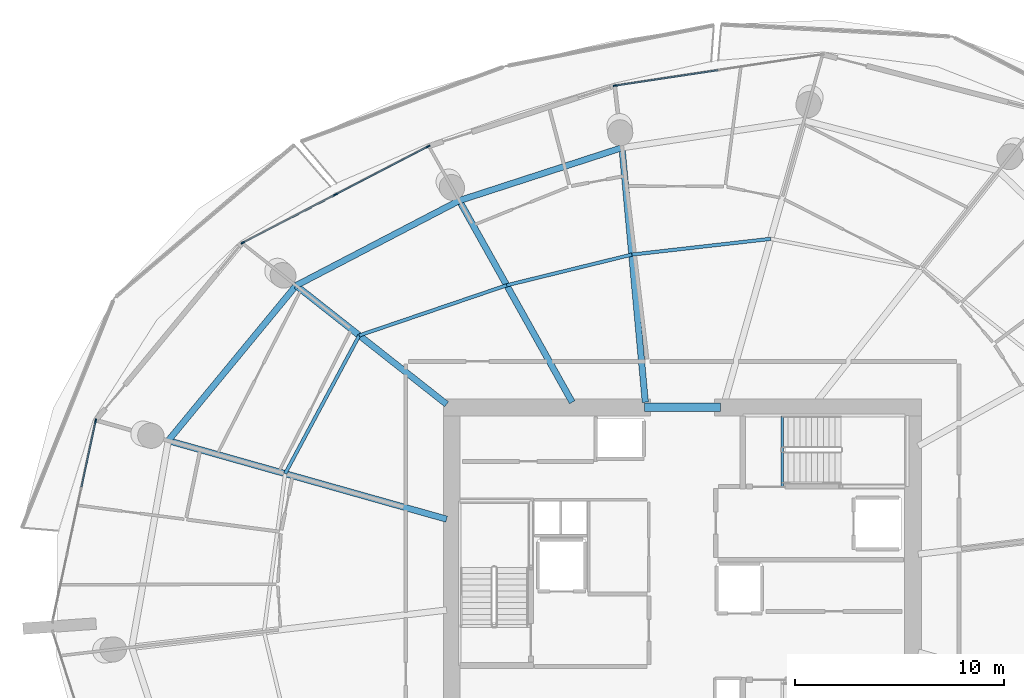
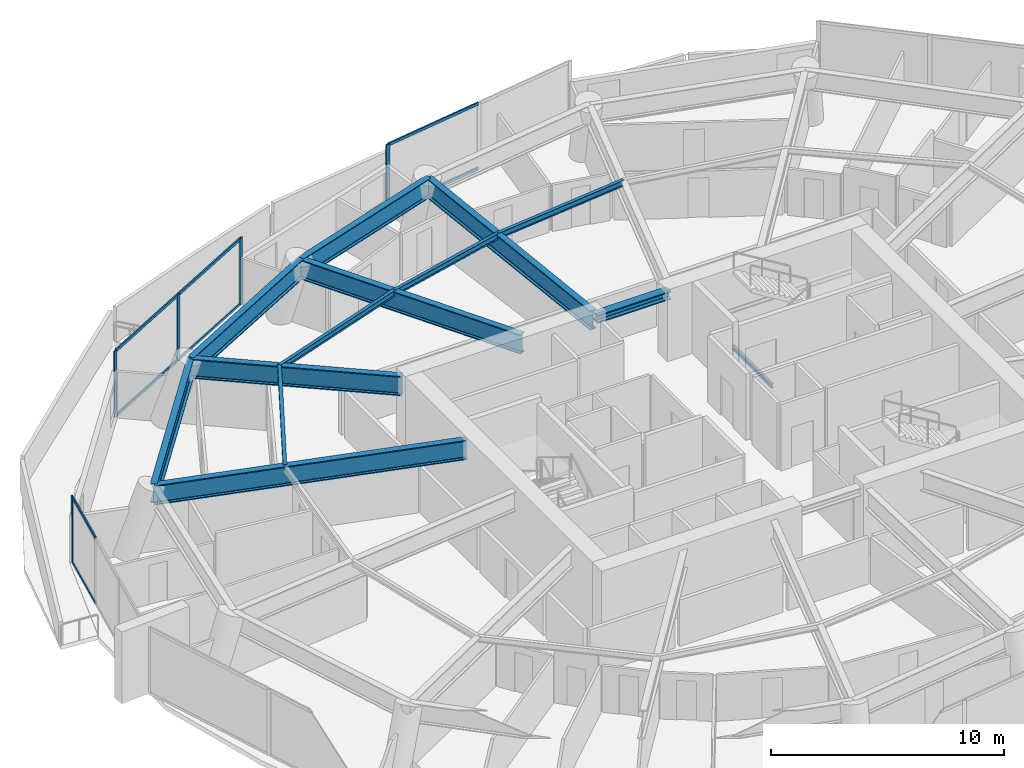
# One storey, part 8 of 23: 13 beams, 13 members, 3 elements without a shape of their own.
"""IFC4 building model written with IfcOpenShell, lengths in metres."""

from ifc_helpers import new_model, si_unit, direction, frame, origin, origin_2d, place, context, subcontext, project, spatial, rectangle, i_section, extrude, material, layer, layer_set, material_profile, profile_set, type_object, element, aggregate, save


model = new_model("IFC4")

# Units and contexts
model_context = context("Model", 3, precision=1e-05, world=origin(), true_north=direction((0.0, 1.0)))
body_context = subcontext(model_context, "Body", "Model", "MODEL_VIEW")
ifc_project = project(units=[si_unit("LENGTHUNIT", "METRE"), si_unit("AREAUNIT", "SQUARE_METRE"), si_unit("VOLUMEUNIT", "CUBIC_METRE"), si_unit("PLANEANGLEUNIT", "RADIAN"), si_unit("MASSUNIT", "GRAM", prefix="KILO")], contexts=[model_context])

# Site, building, storey
site_placement = place(None, origin())
site = spatial("IfcSite", under=ifc_project, at=site_placement, CompositionType="ELEMENT")
building_placement = place(site_placement, origin())
building = spatial("IfcBuilding", under=site, at=building_placement, Name="Kazma Halo Residences", CompositionType="ELEMENT")
storey_placement = place(building_placement, frame((0.0, 0.0, 112.64990234375)))
storey = spatial("IfcBuildingStorey", under=building, at=storey_placement, Name="L28", CompositionType="ELEMENT", Elevation=112.64990234375)

# Beams
ifc_material_1 = material(Name="Steel S355", Category="steel")
ifc_material_profile_1 = material_profile(ifc_material_1, i_section(OverallWidth=0.408935546875, OverallDepth=0.425048828125, WebThickness=0.03271484375, FlangeThickness=0.052490234375, FilletRadius=0.02001953125, at=origin_2d()), Name="W360x421")
ifc_profile_set_1 = profile_set([ifc_material_profile_1], Name="Steel S355")
beam_type_1 = type_object("IfcBeamType", Name="BM-CORE-W360H", PredefinedType="BEAM", material=ifc_profile_set_1)
beam_1_placement = place(storey_placement, frame((46.60009765625, 50.39990234375, 3.257568359375), z_axis=(1.0, 0.0, 0.0), x_axis=(0.0, 1.0, 0.0)))
element("IfcBeam", 1, at=beam_1_placement, inside=storey, type_object=beam_type_1, Name="L28 core coupling beam N", PredefinedType="BEAM", context=body_context, shape_type="SweptSolid", body=[
    extrude(i_section(OverallWidth=0.408935546875, OverallDepth=0.425048828125, WebThickness=0.03271484375, FlangeThickness=0.052490234375, FilletRadius=0.02001953125, at=origin_2d()), origin(), (0.0, 0.0, 1.0), 3.64990234375),
])
ifc_material_profile_2 = material_profile(ifc_material_1, i_section(OverallWidth=0.1650390625, OverallDepth=0.31005859375, WebThickness=0.005859375, FlangeThickness=0.009765625, FilletRadius=0.011962890625, at=origin_2d()), Name="W310x38.7")
ifc_profile_set_2 = profile_set([ifc_material_profile_2], Name="Steel S355")
beam_type_2 = type_object("IfcBeamType", Name="BM-SEC-W310B", PredefinedType="JOIST", material=ifc_profile_set_2)
beam_2_placement = place(storey_placement, frame((52.642333984375, 58.460205078125, 3.315185546875), z_axis=(-0.993617082201, -0.11280555819, 0.0), x_axis=(0.11280555819, -0.993617082201, 0.0)))
element("IfcBeam", 2, at=beam_2_placement, inside=storey, type_object=beam_type_2, Name="L28 circumferential floor joist 03", PredefinedType="JOIST", context=body_context, shape_type="SweptSolid", body=[
    extrude(i_section(OverallWidth=0.1650390625, OverallDepth=0.31005859375, WebThickness=0.005859375, FlangeThickness=0.009765625, FilletRadius=0.011962890625, at=origin_2d()), origin(), (0.0, 0.0, 1.0), 6.68115234375),
])
beam_3_placement = place(storey_placement, frame((46.00390625, 57.70654296875, 3.315185546875), z_axis=(-0.971238191184, -0.238110008161, 0.0), x_axis=(0.238110008161, -0.971238191184, 0.0)))
element("IfcBeam", 3, at=beam_3_placement, inside=storey, type_object=beam_type_2, Name="L28 circumferential floor joist 04", PredefinedType="JOIST", context=body_context, shape_type="SweptSolid", body=[
    extrude(i_section(OverallWidth=0.1650390625, OverallDepth=0.31005859375, WebThickness=0.005859375, FlangeThickness=0.009765625, FilletRadius=0.011962890625, at=origin_2d()), origin(), (0.0, 0.0, 1.0), 6.156005859375),
])
beam_4_placement = place(storey_placement, frame((40.02490234375, 56.24072265625, 3.315185546875), z_axis=(-0.946740758216, -0.321996796153, 0.0), x_axis=(0.321996796153, -0.946740758216, 0.0)))
element("IfcBeam", 4, at=beam_4_placement, inside=storey, type_object=beam_type_2, Name="L28 circumferential floor joist 05", PredefinedType="JOIST", context=body_context, shape_type="SweptSolid", body=[
    extrude(i_section(OverallWidth=0.1650390625, OverallDepth=0.31005859375, WebThickness=0.005859375, FlangeThickness=0.009765625, FilletRadius=0.011962890625, at=origin_2d()), origin(), (0.0, 0.0, 1.0), 7.44482421875),
])
beam_5_placement = place(storey_placement, frame((32.9765625, 53.843505859375, 3.315185546875), z_axis=(-0.472650580169, -0.881249924293, 0.0), x_axis=(0.881249924293, -0.472650580169, 0.0)))
element("IfcBeam", 5, at=beam_5_placement, inside=storey, type_object=beam_type_2, Name="L28 circumferential floor joist 06", PredefinedType="JOIST", context=body_context, shape_type="SweptSolid", body=[
    extrude(i_section(OverallWidth=0.1650390625, OverallDepth=0.31005859375, WebThickness=0.005859375, FlangeThickness=0.009765625, FilletRadius=0.011962890625, at=origin_2d()), origin(), (0.0, 0.0, 1.0), 7.49755859375),
])
ifc_material_profile_3 = material_profile(ifc_material_1, i_section(OverallWidth=0.302001953125, OverallDepth=1.01806640625, WebThickness=0.021484375, FlangeThickness=0.049072265625, FilletRadius=0.028076171875, at=origin_2d()), Name="W1000x443")
ifc_profile_set_3 = profile_set([ifc_material_profile_3], Name="Steel S355")
beam_type_3 = type_object("IfcBeamType", Name="BM-TRANS-W1000A", PredefinedType="BEAM", material=ifc_profile_set_3)
beam_6_placement = place(storey_placement, frame((46.64990234375, 50.64990234375, 2.961181640625), z_axis=(-0.091160923589, 0.995836174283, 0.0), x_axis=(-0.995836174283, -0.091160923589, 0.0)))
element("IfcBeam", 6, at=beam_6_placement, inside=storey, type_object=beam_type_3, Name="L28 podium radial transfer girder 04", PredefinedType="BEAM", context=body_context, shape_type="SweptSolid", body=[
    extrude(i_section(OverallWidth=0.302001953125, OverallDepth=1.01806640625, WebThickness=0.021484375, FlangeThickness=0.049072265625, FilletRadius=0.028076171875, at=origin_2d()), origin(), (0.0, 0.0, 1.0), 12.217529296875),
])
beam_7_placement = place(storey_placement, frame((43.15576171875, 50.64990234375, 2.961181640625), z_axis=(-0.488621537567, 0.872495841266, 0.0), x_axis=(-0.872495841266, -0.488621537567, 0.0)))
element("IfcBeam", 7, at=beam_7_placement, inside=storey, type_object=beam_type_3, Name="L28 podium radial transfer girder 05", PredefinedType="BEAM", context=body_context, shape_type="SweptSolid", body=[
    extrude(i_section(OverallWidth=0.302001953125, OverallDepth=1.01806640625, WebThickness=0.021484375, FlangeThickness=0.049072265625, FilletRadius=0.028076171875, at=origin_2d()), origin(), (0.0, 0.0, 1.0), 11.0478515625),
])
beam_8_placement = place(storey_placement, frame((37.14990234375, 50.553466796875, 2.961181640625), z_axis=(-0.785315005772, 0.61909639129, 0.0), x_axis=(-0.61909639129, -0.785315005772, 0.0)))
element("IfcBeam", 8, at=beam_8_placement, inside=storey, type_object=beam_type_3, Name="L28 podium radial transfer girder 06", PredefinedType="BEAM", context=body_context, shape_type="SweptSolid", body=[
    extrude(i_section(OverallWidth=0.302001953125, OverallDepth=1.01806640625, WebThickness=0.021484375, FlangeThickness=0.049072265625, FilletRadius=0.028076171875, at=origin_2d()), origin(), (0.0, 0.0, 1.0), 9.162353515625),
])
beam_9_placement = place(storey_placement, frame((37.14990234375, 45.06005859375, 2.961181640625), z_axis=(-0.962456655809, 0.27143541716, 0.0), x_axis=(-0.27143541716, -0.962456655809, 0.0)))
element("IfcBeam", 9, at=beam_9_placement, inside=storey, type_object=beam_type_3, Name="L28 podium radial transfer girder 07", PredefinedType="BEAM", context=body_context, shape_type="SweptSolid", body=[
    extrude(i_section(OverallWidth=0.302001953125, OverallDepth=1.01806640625, WebThickness=0.021484375, FlangeThickness=0.049072265625, FilletRadius=0.028076171875, at=origin_2d()), origin(), (0.0, 0.0, 1.0), 13.824462890625),
])
ifc_material_profile_4 = material_profile(ifc_material_1, i_section(OverallWidth=0.300048828125, OverallDepth=1.0, WebThickness=0.01904296875, FlangeThickness=0.0400390625, FilletRadius=0.02587890625, at=origin_2d()), Name="W1000x371")
ifc_profile_set_4 = profile_set([ifc_material_profile_4], Name="Steel S355")
beam_type_4 = type_object("IfcBeamType", Name="BM-TRANS-W1000B", PredefinedType="BEAM", material=ifc_profile_set_4)
beam_10_placement = place(storey_placement, frame((45.5361328125, 62.816650390625, 2.97021484375), z_axis=(-0.951050080811, -0.309036800058, 0.0), x_axis=(0.309036800058, -0.951050080811, 0.0)))
element("IfcBeam", 10, at=beam_10_placement, inside=storey, type_object=beam_type_4, Name="L28 perimeter ring beam 04", PredefinedType="BEAM", context=body_context, shape_type="SweptSolid", body=[
    extrude(i_section(OverallWidth=0.300048828125, OverallDepth=1.0, WebThickness=0.01904296875, FlangeThickness=0.0400390625, FilletRadius=0.02587890625, at=origin_2d()), origin(), (0.0, 0.0, 1.0), 8.178955078125),
])
beam_11_placement = place(storey_placement, frame((37.757568359375, 60.2890625, 2.97021484375), z_axis=(-0.886952216375, -0.46186119762, 0.0), x_axis=(0.46186119762, -0.886952216375, 0.0)))
element("IfcBeam", 11, at=beam_11_placement, inside=storey, type_object=beam_type_4, Name="L28 perimeter ring beam 05", PredefinedType="BEAM", context=body_context, shape_type="SweptSolid", body=[
    extrude(i_section(OverallWidth=0.300048828125, OverallDepth=1.0, WebThickness=0.01904296875, FlangeThickness=0.0400390625, FilletRadius=0.02587890625, at=origin_2d()), origin(), (0.0, 0.0, 1.0), 8.797607421875),
])
beam_12_placement = place(storey_placement, frame((29.95458984375, 56.225830078125, 2.97021484375), z_axis=(-0.636018081662, -0.771674153901, 0.0), x_axis=(0.771674153901, -0.636018081662, 0.0)))
element("IfcBeam", 12, at=beam_12_placement, inside=storey, type_object=beam_type_4, Name="L28 perimeter ring beam 06", PredefinedType="BEAM", context=body_context, shape_type="SweptSolid", body=[
    extrude(i_section(OverallWidth=0.300048828125, OverallDepth=1.0, WebThickness=0.01904296875, FlangeThickness=0.0400390625, FilletRadius=0.02587890625, at=origin_2d()), origin(), (0.0, 0.0, 1.0), 9.60693359375),
])
ifc_material_profile_5 = material_profile(ifc_material_1, i_section(OverallWidth=0.133056640625, OverallDepth=0.20703125, WebThickness=0.005859375, FlangeThickness=0.00830078125, FilletRadius=0.010009765625, at=origin_2d()), Name="W200x26.6")
ifc_profile_set_5 = profile_set([ifc_material_profile_5], Name="Steel S355")
beam_type_5 = type_object("IfcBeamType", Name="BM-TRIM-W200", PredefinedType="BEAM", material=ifc_profile_set_5)
beam_13_placement = place(storey_placement, frame((53.199951171875, 46.6201171875, -0.35986328125), z_axis=(0.0, 1.0, 0.0), x_axis=(-1.0, 0.0, 0.0)))
element("IfcBeam", 13, at=beam_13_placement, inside=storey, type_object=beam_type_5, Name="L28 ST-02 floor landing support beam", PredefinedType="BEAM", context=body_context, shape_type="SweptSolid", body=[
    extrude(i_section(OverallWidth=0.133056640625, OverallDepth=0.20703125, WebThickness=0.005859375, FlangeThickness=0.00830078125, FilletRadius=0.010009765625, at=origin_2d()), origin(), (0.0, 0.0, 1.0), 3.3798828125),
])

# Curtain wall, member
ifc_material_2 = material(Name="Aluminium AW-6063 T6 and Triple-Silver Low-E Glass", Category="aluminium")
ifc_layer = layer(ifc_material_2, 0.199951171875)
ifc_layer_set = layer_set([ifc_layer], Name="Aluminium AW-6063 T6 and Triple-Silver Low-E Glass")
curtain_wall_type = type_object("IfcCurtainWallType", Name="CW-SYS-3", PredefinedType="NOTDEFINED", material=ifc_layer_set)
curtain_wall_1_placement = place(storey_placement, origin())
curtain_wall_1 = element("IfcCurtainWall", 14, at=curtain_wall_1_placement, inside=storey, type_object=curtain_wall_type, Name="L28 unitised curtain wall B03", PredefinedType="NOTDEFINED")
ifc_material_3 = material(Name="Aluminium AW-6063 T6", Category="aluminium")
ifc_material_profile_6 = material_profile(ifc_material_3, rectangle(XDim=0.070068359375, YDim=0.199951171875, at=origin_2d()), Name="CWM-70x200")
ifc_profile_set_6 = profile_set([ifc_material_profile_6], Name="Aluminium AW-6063 T6")
member_type_1 = type_object("IfcMemberType", Name="CW-SYS-3-MUL", PredefinedType="MULLION", material=ifc_profile_set_6)
member_1_placement = place(storey_placement, frame((45.219970703125, 65.78662109375, 0.0), z_axis=(0.0, 0.0, 1.0), x_axis=(0.148717330409, -0.988879747814, 0.0)))
member_1 = element("IfcMember", 15, at=member_1_placement, type_object=member_type_1, Name="CWS-3 mullion 3", PredefinedType="MULLION", context=body_context, shape_type="SweptSolid", body=[
    extrude(rectangle(XDim=0.070068359375, YDim=0.199951171875, at=origin_2d()), origin(), (0.0, 0.0, 1.0), 3.47021484375),
])

# Curtain wall, members
curtain_wall_2_placement = place(storey_placement, origin())
curtain_wall_2 = element("IfcCurtainWall", 16, at=curtain_wall_2_placement, inside=storey, type_object=curtain_wall_type, Name="L28 unitised curtain wall B05", PredefinedType="NOTDEFINED")
member_2_placement = place(storey_placement, frame((36.267822265625, 62.8779296875, 0.0), z_axis=(0.0, 0.0, 1.0), x_axis=(0.460932159481, -0.887435374749, 0.0)))
member_2 = element("IfcMember", 17, at=member_2_placement, type_object=member_type_1, Name="CWS-3 mullion 1", PredefinedType="MULLION", context=body_context, shape_type="SweptSolid", body=[
    extrude(rectangle(XDim=0.070068359375, YDim=0.199951171875, at=origin_2d()), origin(), (0.0, 0.0, 1.0), 3.47021484375),
])
member_3_placement = place(storey_placement, frame((31.8369140625, 60.57666015625, 0.0), z_axis=(0.0, 0.0, 1.0), x_axis=(0.460932159481, -0.887435374749, 0.0)))
member_3 = element("IfcMember", 18, at=member_3_placement, type_object=member_type_1, Name="CWS-3 mullion 2", PredefinedType="MULLION", context=body_context, shape_type="SweptSolid", body=[
    extrude(rectangle(XDim=0.070068359375, YDim=0.199951171875, at=origin_2d()), origin(), (0.0, 0.0, 1.0), 3.47021484375),
])
member_4_placement = place(storey_placement, frame((27.40625, 58.275390625, 0.0), z_axis=(0.0, 0.0, 1.0), x_axis=(0.460932159481, -0.887435374749, 0.0)))
member_4 = element("IfcMember", 19, at=member_4_placement, type_object=member_type_1, Name="CWS-3 mullion 3", PredefinedType="MULLION", context=body_context, shape_type="SweptSolid", body=[
    extrude(rectangle(XDim=0.070068359375, YDim=0.199951171875, at=origin_2d()), origin(), (0.0, 0.0, 1.0), 3.47021484375),
])

# Curtain wall, member
curtain_wall_3_placement = place(storey_placement, origin())
curtain_wall_3 = element("IfcCurtainWall", 20, at=curtain_wall_3_placement, inside=storey, type_object=curtain_wall_type, Name="L28 unitised curtain wall B07", PredefinedType="NOTDEFINED")
member_5_placement = place(storey_placement, frame((20.3740234375, 49.755126953125, 0.0), z_axis=(0.0, 0.0, 1.0), x_axis=(0.977774176093, -0.209660822677, 0.0)))
member_5 = element("IfcMember", 21, at=member_5_placement, type_object=member_type_1, Name="CWS-3 mullion 1", PredefinedType="MULLION", context=body_context, shape_type="SweptSolid", body=[
    extrude(rectangle(XDim=0.070068359375, YDim=0.199951171875, at=origin_2d()), origin(), (0.0, 0.0, 1.0), 3.47021484375),
])

# Member
ifc_material_profile_7 = material_profile(ifc_material_3, rectangle(XDim=0.070068359375, YDim=0.14990234375, at=origin_2d()), Name="CWT-70x150")
ifc_profile_set_7 = profile_set([ifc_material_profile_7], Name="Aluminium AW-6063 T6")
member_type_2 = type_object("IfcMemberType", Name="CW-SYS-3-TRN", PredefinedType="USERDEFINED", material=ifc_profile_set_7)
member_6_placement = place(storey_placement, frame((50.12255859375, 66.52392578125, 0.03515625), z_axis=(-0.988884271372, -0.148687248386, 0.0), x_axis=(0.148687248386, -0.988884271372, 0.0)))
member_6 = element("IfcMember", 22, at=member_6_placement, type_object=member_type_2, Name="CWS-3 transom 2.1", ObjectType="TRANSOM", PredefinedType="USERDEFINED", context=body_context, shape_type="SweptSolid", body=[
    extrude(rectangle(XDim=0.070068359375, YDim=0.14990234375, at=origin_2d()), origin(), (0.0, 0.0, 1.0), 4.922607421875),
])

member_7_placement = place(storey_placement, frame((50.12255859375, 66.52392578125, 3.43505859375), z_axis=(-0.988884271372, -0.148687248386, 0.0), x_axis=(0.148687248386, -0.988884271372, 0.0)))
member_7 = element("IfcMember", 23, at=member_7_placement, type_object=member_type_2, Name="CWS-3 transom 2.2", ObjectType="TRANSOM", PredefinedType="USERDEFINED", context=body_context, shape_type="SweptSolid", body=[
    extrude(rectangle(XDim=0.070068359375, YDim=0.14990234375, at=origin_2d()), origin(), (0.0, 0.0, 1.0), 4.922607421875),
])

aggregate(curtain_wall_1, [member_1, member_6, member_7])

member_8_placement = place(storey_placement, frame((36.236572265625, 62.86181640625, 0.03515625), z_axis=(-0.887427024944, -0.460948235054, 0.0), x_axis=(0.460948235054, -0.887427024944, 0.0)))
member_8 = element("IfcMember", 24, at=member_8_placement, type_object=member_type_2, Name="CWS-3 transom 1.1", ObjectType="TRANSOM", PredefinedType="USERDEFINED", context=body_context, shape_type="SweptSolid", body=[
    extrude(rectangle(XDim=0.070068359375, YDim=0.14990234375, at=origin_2d()), origin(), (0.0, 0.0, 1.0), 4.922607421875),
])

member_9_placement = place(storey_placement, frame((36.236572265625, 62.86181640625, 3.43505859375), z_axis=(-0.887427024944, -0.460948235054, 0.0), x_axis=(0.460948235054, -0.887427024944, 0.0)))
member_9 = element("IfcMember", 25, at=member_9_placement, type_object=member_type_2, Name="CWS-3 transom 1.2", ObjectType="TRANSOM", PredefinedType="USERDEFINED", context=body_context, shape_type="SweptSolid", body=[
    extrude(rectangle(XDim=0.070068359375, YDim=0.14990234375, at=origin_2d()), origin(), (0.0, 0.0, 1.0), 4.922607421875),
])

member_10_placement = place(storey_placement, frame((31.805908203125, 60.560546875, 0.03515625), z_axis=(-0.887437562141, -0.460927948058, 0.0), x_axis=(0.460927948058, -0.887437562141, 0.0)))
member_10 = element("IfcMember", 26, at=member_10_placement, type_object=member_type_2, Name="CWS-3 transom 2.1", ObjectType="TRANSOM", PredefinedType="USERDEFINED", context=body_context, shape_type="SweptSolid", body=[
    extrude(rectangle(XDim=0.070068359375, YDim=0.14990234375, at=origin_2d()), origin(), (0.0, 0.0, 1.0), 4.9228515625),
])

member_11_placement = place(storey_placement, frame((31.805908203125, 60.560546875, 3.43505859375), z_axis=(-0.887437562141, -0.460927948058, 0.0), x_axis=(0.460927948058, -0.887437562141, 0.0)))
member_11 = element("IfcMember", 27, at=member_11_placement, type_object=member_type_2, Name="CWS-3 transom 2.2", ObjectType="TRANSOM", PredefinedType="USERDEFINED", context=body_context, shape_type="SweptSolid", body=[
    extrude(rectangle(XDim=0.070068359375, YDim=0.14990234375, at=origin_2d()), origin(), (0.0, 0.0, 1.0), 4.9228515625),
])

aggregate(curtain_wall_2, [member_2, member_3, member_4, member_8, member_9, member_10, member_11])

member_12_placement = place(storey_placement, frame((20.36669921875, 49.720947265625, 0.03515625), z_axis=(-0.209702197956, -0.977765303216, 0.0), x_axis=(0.977765303216, -0.209702197956, 0.0)))
member_12 = element("IfcMember", 28, at=member_12_placement, type_object=member_type_2, Name="CWS-3 transom 1.1", ObjectType="TRANSOM", PredefinedType="USERDEFINED", context=body_context, shape_type="SweptSolid", body=[
    extrude(rectangle(XDim=0.070068359375, YDim=0.14990234375, at=origin_2d()), origin(), (0.0, 0.0, 1.0), 3.17822265625),
])

member_13_placement = place(storey_placement, frame((20.36669921875, 49.720947265625, 3.43505859375), z_axis=(-0.209702197956, -0.977765303216, 0.0), x_axis=(0.977765303216, -0.209702197956, 0.0)))
member_13 = element("IfcMember", 29, at=member_13_placement, type_object=member_type_2, Name="CWS-3 transom 1.2", ObjectType="TRANSOM", PredefinedType="USERDEFINED", context=body_context, shape_type="SweptSolid", body=[
    extrude(rectangle(XDim=0.070068359375, YDim=0.14990234375, at=origin_2d()), origin(), (0.0, 0.0, 1.0), 3.17822265625),
])

aggregate(curtain_wall_3, [member_5, member_12, member_13])

save(model, "model.ifc")
